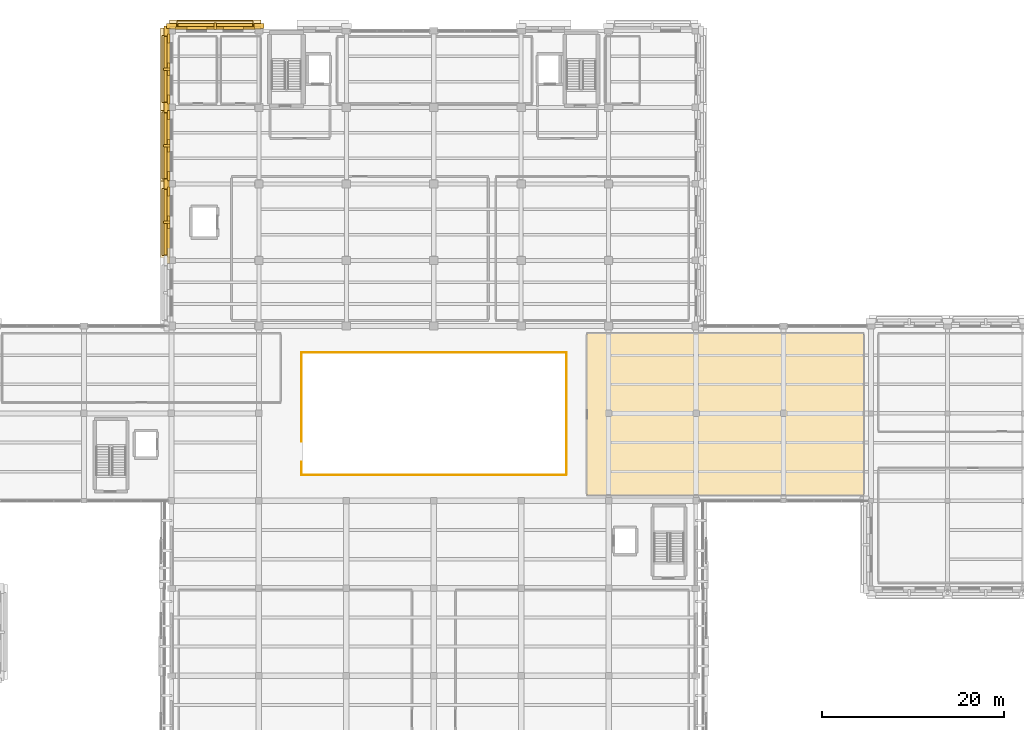
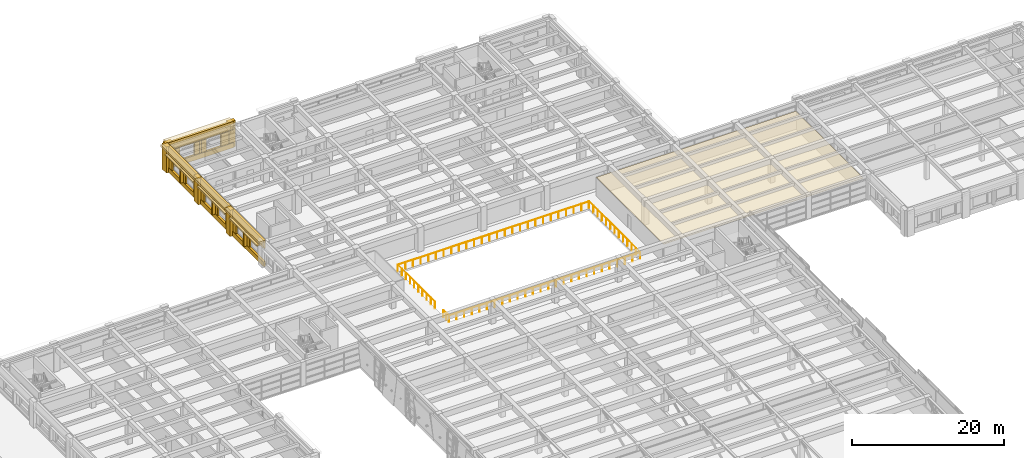
# One storey, part 57 of 62: 37 coverings, 5 railings, 4 shading devices.
"""IFC4 building model written with IfcOpenShell, lengths in metres."""

from ifc_helpers import new_model, si_unit, direction, frame, origin, origin_2d, place, context, subcontext, project, spatial, polyline, rectangle, circle, outline, extrude, material, layer, layer_set, type_object, element, save


model = new_model("IFC4")

# Units and contexts
model_context = context("Model", 3, precision=1e-05, world=origin(), true_north=direction((0.0, 1.0)))
body_context = subcontext(model_context, "Body", "Model", "MODEL_VIEW")
ifc_project = project(units=[si_unit("LENGTHUNIT", "METRE"), si_unit("AREAUNIT", "SQUARE_METRE"), si_unit("VOLUMEUNIT", "CUBIC_METRE"), si_unit("PLANEANGLEUNIT", "RADIAN"), si_unit("MASSUNIT", "GRAM", prefix="KILO")], contexts=[model_context])

# Site, building, storey
site_placement = place(None, origin())
site = spatial("IfcSite", under=ifc_project, at=site_placement, CompositionType="ELEMENT")
building_placement = place(site_placement, origin())
building = spatial("IfcBuilding", under=site, at=building_placement, Name="Bempovik Park Faculty of Sciences", CompositionType="ELEMENT")
storey_placement = place(building_placement, frame((0.0, 0.0, 9.89990234375)))
storey = spatial("IfcBuildingStorey", under=building, at=storey_placement, Name="L02", CompositionType="ELEMENT", Elevation=9.89990234375)

# Coverings
ifc_material_1 = material(Name="Acoustic mineral ceiling tile")
ifc_layer_1 = layer(ifc_material_1, 0.0400390625)
ifc_layer_set_1 = layer_set([ifc_layer_1], Name="Acoustic mineral ceiling tile")
covering_type_1 = type_object("IfcCoveringType", Name="CE-01 Acoustic Ceiling 40mm", PredefinedType="CEILING", material=ifc_layer_set_1)
covering_1_placement = place(storey_placement, frame((0.0, 0.0, 2.880126953125)))
element("IfcCovering", 1, at=covering_1_placement, inside=storey, type_object=covering_type_1, Name="L02 Atrium East Academic Staff Offices Acoustic Ceiling", PredefinedType="CEILING", context=body_context, shape_type="SweptSolid", body=[
    extrude(outline(polyline([(105.6298828125, 68.429931640625), (135.969970703125, 68.429931640625), (135.969970703125, 86.169921875), (105.6298828125, 86.169921875), (105.6298828125, 68.429931640625)])), origin(), (0.0, 0.0, 1.0), 0.0400390625),
])
ifc_material_2 = material(Name="Precast concrete C40/50", Category="concrete")
ifc_layer_2 = layer(ifc_material_2, 0.179931640625)
ifc_layer_set_2 = layer_set([ifc_layer_2], Name="Precast concrete C40/50")
covering_type_2 = type_object("IfcCoveringType", Name="CL-02 Classical Cornice Band 180mm", PredefinedType="CLADDING", material=ifc_layer_set_2)
covering_2_placement = place(storey_placement, frame((59.3349609375, 98.39990234375, 3.83984375), z_axis=(0.0, 0.0, 1.0), x_axis=(1.0, 0.0, 0.0)))
element("IfcCovering", 2, at=covering_2_placement, inside=storey, type_object=covering_type_2, Name="L02 Classical Projecting Dentil Cornice EW-L02-7553", PredefinedType="CLADDING", context=body_context, shape_type="SweptSolid", body=[
    extrude(rectangle(XDim=1.050048828125, YDim=9.0458984375, at=origin_2d()), origin(), (0.0, 0.0, 1.0), 0.360107421875),
])
covering_3_placement = place(storey_placement, frame((59.39990234375, 98.39990234375, 2.91015625), z_axis=(0.0, 0.0, 1.0), x_axis=(1.0, 0.0, 0.0)))
element("IfcCovering", 3, at=covering_3_placement, inside=storey, type_object=covering_type_2, Name="L02 Classical Stone Solar Window Hood EW-L02-7553", PredefinedType="CLADDING", context=body_context, shape_type="SweptSolid", body=[
    extrude(rectangle(XDim=0.919921875, YDim=7.345947265625, at=origin_2d()), origin(), (0.0, 0.0, 1.0), 0.219970703125),
])
covering_4_placement = place(storey_placement, frame((59.3349609375, 106.800048828125, 3.83984375), z_axis=(0.0, 0.0, 1.0), x_axis=(1.0, 0.0, 0.0)))
element("IfcCovering", 4, at=covering_4_placement, inside=storey, type_object=covering_type_2, Name="L02 Classical Projecting Dentil Cornice EW-L02-7566", PredefinedType="CLADDING", context=body_context, shape_type="SweptSolid", body=[
    extrude(rectangle(XDim=1.050048828125, YDim=9.0458984375, at=origin_2d()), origin(), (0.0, 0.0, 1.0), 0.360107421875),
])
covering_5_placement = place(storey_placement, frame((59.39990234375, 106.800048828125, 2.91015625), z_axis=(0.0, 0.0, 1.0), x_axis=(1.0, 0.0, 0.0)))
element("IfcCovering", 5, at=covering_5_placement, inside=storey, type_object=covering_type_2, Name="L02 Classical Stone Solar Window Hood EW-L02-7566", PredefinedType="CLADDING", context=body_context, shape_type="SweptSolid", body=[
    extrude(rectangle(XDim=0.919921875, YDim=7.345947265625, at=origin_2d()), origin(), (0.0, 0.0, 1.0), 0.219970703125),
])
covering_6_placement = place(storey_placement, frame((59.3349609375, 115.199951171875, 3.83984375), z_axis=(0.0, 0.0, 1.0), x_axis=(1.0, 0.0, 0.0)))
element("IfcCovering", 6, at=covering_6_placement, inside=storey, type_object=covering_type_2, Name="L02 Classical Projecting Dentil Cornice EW-L02-7579", PredefinedType="CLADDING", context=body_context, shape_type="SweptSolid", body=[
    extrude(rectangle(XDim=1.050048828125, YDim=9.0458984375, at=origin_2d()), origin(), (0.0, 0.0, 1.0), 0.360107421875),
])
covering_7_placement = place(storey_placement, frame((59.39990234375, 115.199951171875, 2.91015625), z_axis=(0.0, 0.0, 1.0), x_axis=(1.0, 0.0, 0.0)))
element("IfcCovering", 7, at=covering_7_placement, inside=storey, type_object=covering_type_2, Name="L02 Classical Stone Solar Window Hood EW-L02-7579", PredefinedType="CLADDING", context=body_context, shape_type="SweptSolid", body=[
    extrude(rectangle(XDim=0.919921875, YDim=7.345947265625, at=origin_2d()), origin(), (0.0, 0.0, 1.0), 0.219970703125),
])
covering_8_placement = place(storey_placement, frame((64.800048828125, 120.06494140625, 3.83984375), z_axis=(0.0, 0.0, 1.0), x_axis=(1.0, 0.0, 0.0)))
element("IfcCovering", 8, at=covering_8_placement, inside=storey, type_object=covering_type_2, Name="L02 Classical Projecting Dentil Cornice EW-L02-7592", PredefinedType="CLADDING", context=body_context, shape_type="SweptSolid", body=[
    extrude(rectangle(XDim=10.0458984375, YDim=1.050048828125, at=origin_2d()), origin(), (0.0, 0.0, 1.0), 0.360107421875),
])
covering_9_placement = place(storey_placement, frame((64.800048828125, 120.0, 2.91015625), z_axis=(0.0, 0.0, 1.0), x_axis=(1.0, 0.0, 0.0)))
element("IfcCovering", 9, at=covering_9_placement, inside=storey, type_object=covering_type_2, Name="L02 Classical Stone Solar Window Hood EW-L02-7592", PredefinedType="CLADDING", context=body_context, shape_type="SweptSolid", body=[
    extrude(rectangle(XDim=8.345947265625, YDim=0.919921875, at=origin_2d()), origin(), (0.0, 0.0, 1.0), 0.219970703125),
])
ifc_material_3 = material(Name="White reconstituted limestone precast C40/50", Category="masonry")
ifc_layer_3 = layer(ifc_material_3, 0.239990234375)
ifc_layer_set_3 = layer_set([ifc_layer_3], Name="White reconstituted limestone precast C40/50")
covering_type_3 = type_object("IfcCoveringType", Name="CL-03 Classical Fluted Limestone Pilaster 240mm", PredefinedType="CLADDING", material=ifc_layer_set_3)
covering_10_placement = place(storey_placement, frame((59.68994140625, 98.39990234375, 2.919921875), z_axis=(0.0, 0.0, 1.0), x_axis=(1.0, 0.0, 0.0)))
element("IfcCovering", 10, at=covering_10_placement, inside=storey, type_object=covering_type_3, Name="L02 Classical Limestone Spandrel Entablature EW-L02-7553", PredefinedType="CLADDING", context=body_context, shape_type="SweptSolid", body=[
    extrude(rectangle(XDim=0.340087890625, YDim=9.0458984375, at=origin_2d()), origin(), (0.0, 0.0, 1.0), 1.280029296875),
])
covering_11_placement = place(storey_placement, frame((59.68994140625, 98.39990234375, 0.0), z_axis=(0.0, 0.0, 1.0), x_axis=(1.0, 0.0, 0.0)))
element("IfcCovering", 11, at=covering_11_placement, inside=storey, type_object=covering_type_3, Name="L02 Classical Limestone Sill Dado EW-L02-7553", PredefinedType="CLADDING", context=body_context, shape_type="SweptSolid", body=[
    extrude(rectangle(XDim=0.340087890625, YDim=9.0458984375, at=origin_2d()), origin(), (0.0, 0.0, 1.0), 0.780029296875),
])
covering_12_placement = place(storey_placement, frame((59.469970703125, 102.60009765625, 0.0), z_axis=(0.0, 0.0, 1.0), x_axis=(1.0, 0.0, 0.0)))
element("IfcCovering", 12, at=covering_12_placement, inside=storey, type_object=covering_type_3, Name="L02 Classical Fluted Stone Pilaster PIL-BA-L02-595-1026", PredefinedType="CLADDING", context=body_context, shape_type="SweptSolid", body=[
    extrude(rectangle(XDim=0.580078125, YDim=1.10009765625, at=origin_2d()), origin(), (0.0, 0.0, 1.0), 4.199951171875),
])
covering_13_placement = place(storey_placement, frame((59.699951171875, 98.39990234375, 0.0), z_axis=(0.0, 0.0, 1.0), x_axis=(1.0, 0.0, 0.0)))
element("IfcCovering", 13, at=covering_13_placement, inside=storey, type_object=covering_type_3, Name="L02 White Limestone Wall Cheek EW-L02-7553-2", PredefinedType="CLADDING", context=body_context, shape_type="SweptSolid", body=[
    extrude(rectangle(XDim=0.239990234375, YDim=1.360107421875, at=origin_2d()), origin(), (0.0, 0.0, 1.0), 3.080078125),
])
covering_14_placement = place(storey_placement, frame((59.699951171875, 101.754150390625, 0.0), z_axis=(0.0, 0.0, 1.0), x_axis=(1.0, 0.0, 0.0)))
element("IfcCovering", 14, at=covering_14_placement, inside=storey, type_object=covering_type_3, Name="L02 White Limestone Wall Cheek EW-L02-7553-4", PredefinedType="CLADDING", context=body_context, shape_type="SweptSolid", body=[
    extrude(rectangle(XDim=0.239990234375, YDim=0.98779296875, at=origin_2d()), origin(), (0.0, 0.0, 1.0), 3.080078125),
])
covering_15_placement = place(storey_placement, frame((59.489990234375, 98.39990234375, 0.7001953125), z_axis=(0.0, 0.0, 1.0), x_axis=(1.0, 0.0, 0.0)))
element("IfcCovering", 15, at=covering_15_placement, inside=storey, type_object=covering_type_3, Name="L02 Classical Vertical Stone Shading Fin EW-L02-7553", PredefinedType="CLADDING", context=body_context, shape_type="SweptSolid", body=[
    extrude(rectangle(XDim=0.719970703125, YDim=0.280029296875, at=origin_2d()), origin(), (0.0, 0.0, 1.0), 2.25),
])
covering_16_placement = place(storey_placement, frame((59.68994140625, 106.800048828125, 2.919921875), z_axis=(0.0, 0.0, 1.0), x_axis=(1.0, 0.0, 0.0)))
element("IfcCovering", 16, at=covering_16_placement, inside=storey, type_object=covering_type_3, Name="L02 Classical Limestone Spandrel Entablature EW-L02-7566", PredefinedType="CLADDING", context=body_context, shape_type="SweptSolid", body=[
    extrude(rectangle(XDim=0.340087890625, YDim=9.0458984375, at=origin_2d()), origin(), (0.0, 0.0, 1.0), 1.280029296875),
])
covering_17_placement = place(storey_placement, frame((59.68994140625, 106.800048828125, 0.0), z_axis=(0.0, 0.0, 1.0), x_axis=(1.0, 0.0, 0.0)))
element("IfcCovering", 17, at=covering_17_placement, inside=storey, type_object=covering_type_3, Name="L02 Classical Limestone Sill Dado EW-L02-7566", PredefinedType="CLADDING", context=body_context, shape_type="SweptSolid", body=[
    extrude(rectangle(XDim=0.340087890625, YDim=9.0458984375, at=origin_2d()), origin(), (0.0, 0.0, 1.0), 0.780029296875),
])
covering_18_placement = place(storey_placement, frame((59.469970703125, 111.0, 0.0), z_axis=(0.0, 0.0, 1.0), x_axis=(1.0, 0.0, 0.0)))
element("IfcCovering", 18, at=covering_18_placement, inside=storey, type_object=covering_type_3, Name="L02 Classical Fluted Stone Pilaster PIL-BA-L02-595-1110", PredefinedType="CLADDING", context=body_context, shape_type="SweptSolid", body=[
    extrude(rectangle(XDim=0.580078125, YDim=1.10009765625, at=origin_2d()), origin(), (0.0, 0.0, 1.0), 4.199951171875),
])
covering_19_placement = place(storey_placement, frame((59.699951171875, 103.44580078125, 0.0), z_axis=(0.0, 0.0, 1.0), x_axis=(1.0, 0.0, 0.0)))
element("IfcCovering", 19, at=covering_19_placement, inside=storey, type_object=covering_type_3, Name="L02 White Limestone Wall Cheek EW-L02-7566-0", PredefinedType="CLADDING", context=body_context, shape_type="SweptSolid", body=[
    extrude(rectangle(XDim=0.239990234375, YDim=0.98779296875, at=origin_2d()), origin(), (0.0, 0.0, 1.0), 3.080078125),
])
covering_20_placement = place(storey_placement, frame((59.699951171875, 106.800048828125, 0.0), z_axis=(0.0, 0.0, 1.0), x_axis=(1.0, 0.0, 0.0)))
element("IfcCovering", 20, at=covering_20_placement, inside=storey, type_object=covering_type_3, Name="L02 White Limestone Wall Cheek EW-L02-7566-2", PredefinedType="CLADDING", context=body_context, shape_type="SweptSolid", body=[
    extrude(rectangle(XDim=0.239990234375, YDim=1.360107421875, at=origin_2d()), origin(), (0.0, 0.0, 1.0), 3.080078125),
])
covering_21_placement = place(storey_placement, frame((59.699951171875, 110.154052734375, 0.0), z_axis=(0.0, 0.0, 1.0), x_axis=(1.0, 0.0, 0.0)))
element("IfcCovering", 21, at=covering_21_placement, inside=storey, type_object=covering_type_3, Name="L02 White Limestone Wall Cheek EW-L02-7566-4", PredefinedType="CLADDING", context=body_context, shape_type="SweptSolid", body=[
    extrude(rectangle(XDim=0.239990234375, YDim=0.98779296875, at=origin_2d()), origin(), (0.0, 0.0, 1.0), 3.080078125),
])
covering_22_placement = place(storey_placement, frame((59.489990234375, 106.800048828125, 0.7001953125), z_axis=(0.0, 0.0, 1.0), x_axis=(1.0, 0.0, 0.0)))
element("IfcCovering", 22, at=covering_22_placement, inside=storey, type_object=covering_type_3, Name="L02 Classical Vertical Stone Shading Fin EW-L02-7566", PredefinedType="CLADDING", context=body_context, shape_type="SweptSolid", body=[
    extrude(rectangle(XDim=0.719970703125, YDim=0.280029296875, at=origin_2d()), origin(), (0.0, 0.0, 1.0), 2.25),
])
covering_23_placement = place(storey_placement, frame((59.68994140625, 115.199951171875, 2.919921875), z_axis=(0.0, 0.0, 1.0), x_axis=(1.0, 0.0, 0.0)))
element("IfcCovering", 23, at=covering_23_placement, inside=storey, type_object=covering_type_3, Name="L02 Classical Limestone Spandrel Entablature EW-L02-7579", PredefinedType="CLADDING", context=body_context, shape_type="SweptSolid", body=[
    extrude(rectangle(XDim=0.340087890625, YDim=9.0458984375, at=origin_2d()), origin(), (0.0, 0.0, 1.0), 1.280029296875),
])
covering_24_placement = place(storey_placement, frame((59.68994140625, 115.199951171875, 0.0), z_axis=(0.0, 0.0, 1.0), x_axis=(1.0, 0.0, 0.0)))
element("IfcCovering", 24, at=covering_24_placement, inside=storey, type_object=covering_type_3, Name="L02 Classical Limestone Sill Dado EW-L02-7579", PredefinedType="CLADDING", context=body_context, shape_type="SweptSolid", body=[
    extrude(rectangle(XDim=0.340087890625, YDim=9.0458984375, at=origin_2d()), origin(), (0.0, 0.0, 1.0), 0.780029296875),
])
covering_25_placement = place(storey_placement, frame((59.469970703125, 119.39990234375, 0.0), z_axis=(0.0, 0.0, 1.0), x_axis=(1.0, 0.0, 0.0)))
element("IfcCovering", 25, at=covering_25_placement, inside=storey, type_object=covering_type_3, Name="L02 Classical Fluted Stone Pilaster PIL-BA-L02-595-1194", PredefinedType="CLADDING", context=body_context, shape_type="SweptSolid", body=[
    extrude(rectangle(XDim=0.580078125, YDim=1.10009765625, at=origin_2d()), origin(), (0.0, 0.0, 1.0), 4.199951171875),
])
covering_26_placement = place(storey_placement, frame((59.699951171875, 111.845947265625, 0.0), z_axis=(0.0, 0.0, 1.0), x_axis=(1.0, 0.0, 0.0)))
element("IfcCovering", 26, at=covering_26_placement, inside=storey, type_object=covering_type_3, Name="L02 White Limestone Wall Cheek EW-L02-7579-0", PredefinedType="CLADDING", context=body_context, shape_type="SweptSolid", body=[
    extrude(rectangle(XDim=0.239990234375, YDim=0.98779296875, at=origin_2d()), origin(), (0.0, 0.0, 1.0), 3.080078125),
])
covering_27_placement = place(storey_placement, frame((59.699951171875, 115.199951171875, 0.0), z_axis=(0.0, 0.0, 1.0), x_axis=(1.0, 0.0, 0.0)))
element("IfcCovering", 27, at=covering_27_placement, inside=storey, type_object=covering_type_3, Name="L02 White Limestone Wall Cheek EW-L02-7579-2", PredefinedType="CLADDING", context=body_context, shape_type="SweptSolid", body=[
    extrude(rectangle(XDim=0.239990234375, YDim=1.360107421875, at=origin_2d()), origin(), (0.0, 0.0, 1.0), 3.080078125),
])
covering_28_placement = place(storey_placement, frame((59.699951171875, 118.55419921875, 0.0), z_axis=(0.0, 0.0, 1.0), x_axis=(1.0, 0.0, 0.0)))
element("IfcCovering", 28, at=covering_28_placement, inside=storey, type_object=covering_type_3, Name="L02 White Limestone Wall Cheek EW-L02-7579-4", PredefinedType="CLADDING", context=body_context, shape_type="SweptSolid", body=[
    extrude(rectangle(XDim=0.239990234375, YDim=0.98779296875, at=origin_2d()), origin(), (0.0, 0.0, 1.0), 3.080078125),
])
covering_29_placement = place(storey_placement, frame((59.489990234375, 115.199951171875, 0.7001953125), z_axis=(0.0, 0.0, 1.0), x_axis=(1.0, 0.0, 0.0)))
element("IfcCovering", 29, at=covering_29_placement, inside=storey, type_object=covering_type_3, Name="L02 Classical Vertical Stone Shading Fin EW-L02-7579", PredefinedType="CLADDING", context=body_context, shape_type="SweptSolid", body=[
    extrude(rectangle(XDim=0.719970703125, YDim=0.280029296875, at=origin_2d()), origin(), (0.0, 0.0, 1.0), 2.25),
])
covering_30_placement = place(storey_placement, frame((64.800048828125, 119.7099609375, 2.919921875), z_axis=(0.0, 0.0, 1.0), x_axis=(1.0, 0.0, 0.0)))
element("IfcCovering", 30, at=covering_30_placement, inside=storey, type_object=covering_type_3, Name="L02 Classical Limestone Spandrel Entablature EW-L02-7592", PredefinedType="CLADDING", context=body_context, shape_type="SweptSolid", body=[
    extrude(rectangle(XDim=10.0458984375, YDim=0.340087890625, at=origin_2d()), origin(), (0.0, 0.0, 1.0), 1.280029296875),
])
covering_31_placement = place(storey_placement, frame((64.800048828125, 119.7099609375, 0.0), z_axis=(0.0, 0.0, 1.0), x_axis=(1.0, 0.0, 0.0)))
element("IfcCovering", 31, at=covering_31_placement, inside=storey, type_object=covering_type_3, Name="L02 Classical Limestone Sill Dado EW-L02-7592", PredefinedType="CLADDING", context=body_context, shape_type="SweptSolid", body=[
    extrude(rectangle(XDim=10.0458984375, YDim=0.340087890625, at=origin_2d()), origin(), (0.0, 0.0, 1.0), 0.780029296875),
])
for number, where, z_axis, x_axis, name in (
    (32, (60.0, 119.929931640625, 0.0), (0.0, 0.0, 1.0), (1.0, 0.0, 0.0), "L02 Classical Fluted Stone Pilaster PIL-BA-L02-600-1199"),
    (33, (69.60009765625, 119.929931640625, 0.0), (0.0, 0.0, 1.0), (1.0, 0.0, 0.0), "L02 Classical Fluted Stone Pilaster PIL-BA-L02-696-1199"),
):
    element("IfcCovering", number, at=place(storey_placement, frame(where, z_axis=z_axis, x_axis=x_axis)), inside=storey, type_object=covering_type_3, Name=name, PredefinedType="CLADDING", context=body_context, shape_type="SweptSolid", body=[
        extrude(rectangle(XDim=1.10009765625, YDim=0.580078125, at=origin_2d()), origin(), (0.0, 0.0, 1.0), 4.199951171875),
    ])
covering_32_placement = place(storey_placement, frame((61.0810546875, 119.699951171875, 0.0), z_axis=(0.0, 0.0, 1.0), x_axis=(1.0, 0.0, 0.0)))
element("IfcCovering", 34, at=covering_32_placement, inside=storey, type_object=covering_type_3, Name="L02 White Limestone Wall Cheek EW-L02-7592-0", PredefinedType="CLADDING", context=body_context, shape_type="SweptSolid", body=[
    extrude(rectangle(XDim=1.2578125, YDim=0.239990234375, at=origin_2d()), origin(), (0.0, 0.0, 1.0), 3.080078125),
])
covering_33_placement = place(storey_placement, frame((64.800048828125, 119.699951171875, 0.0), z_axis=(0.0, 0.0, 1.0), x_axis=(1.0, 0.0, 0.0)))
element("IfcCovering", 35, at=covering_33_placement, inside=storey, type_object=covering_type_3, Name="L02 White Limestone Wall Cheek EW-L02-7592-2", PredefinedType="CLADDING", context=body_context, shape_type="SweptSolid", body=[
    extrude(rectangle(XDim=1.8203125, YDim=0.239990234375, at=origin_2d()), origin(), (0.0, 0.0, 1.0), 3.080078125),
])
covering_34_placement = place(storey_placement, frame((68.51904296875, 119.699951171875, 0.0), z_axis=(0.0, 0.0, 1.0), x_axis=(1.0, 0.0, 0.0)))
element("IfcCovering", 36, at=covering_34_placement, inside=storey, type_object=covering_type_3, Name="L02 White Limestone Wall Cheek EW-L02-7592-4", PredefinedType="CLADDING", context=body_context, shape_type="SweptSolid", body=[
    extrude(rectangle(XDim=1.2578125, YDim=0.239990234375, at=origin_2d()), origin(), (0.0, 0.0, 1.0), 3.080078125),
])
covering_35_placement = place(storey_placement, frame((64.800048828125, 119.909912109375, 0.7001953125), z_axis=(0.0, 0.0, 1.0), x_axis=(1.0, 0.0, 0.0)))
element("IfcCovering", 37, at=covering_35_placement, inside=storey, type_object=covering_type_3, Name="L02 Classical Vertical Stone Shading Fin EW-L02-7592", PredefinedType="CLADDING", context=body_context, shape_type="SweptSolid", body=[
    extrude(rectangle(XDim=0.280029296875, YDim=0.719970703125, at=origin_2d()), origin(), (0.0, 0.0, 1.0), 2.25),
])

# Railings
ifc_material_4 = material(Name="Anodised architectural bronze")
railing_type = type_object("IfcRailingType", Name="GR-01 Guardrail 1120mm", PredefinedType="GUARDRAIL", material=ifc_material_4)
railing_1_placement = place(storey_placement, frame((74.27490234375, 70.64990234375, 0.0)))
element("IfcRailing", 38, at=railing_1_placement, inside=storey, type_object=railing_type, Name="L02 Atrium Void South Guardrail", PredefinedType="GUARDRAIL", context=body_context, shape_type="SweptSolid", body=[
    extrude(circle(Radius=0.02392578125, at=origin_2d()), frame((0.0, 0.0, 1.09619140625), z_axis=(1.0, 0.0, 0.0), x_axis=(0.0, 1.0, 0.0)), (0.0, 0.0, 1.0), 29.0751953125),
    extrude(circle(Radius=0.02099609375, at=origin_2d()), origin(), (0.0, 0.0, 1.0), 1.072021484375),
    extrude(circle(Radius=0.02099609375, at=origin_2d()), frame((1.1630859375, 0.0, 0.0)), (0.0, 0.0, 1.0), 1.072021484375),
    extrude(circle(Radius=0.02099609375, at=origin_2d()), frame((2.325927734375, 0.0, 0.0)), (0.0, 0.0, 1.0), 1.072021484375),
    extrude(circle(Radius=0.02099609375, at=origin_2d()), frame((3.489013671875, 0.0, 0.0)), (0.0, 0.0, 1.0), 1.072021484375),
    extrude(circle(Radius=0.02099609375, at=origin_2d()), frame((4.652099609375, 0.0, 0.0)), (0.0, 0.0, 1.0), 1.072021484375),
    extrude(circle(Radius=0.02099609375, at=origin_2d()), frame((5.81494140625, 0.0, 0.0)), (0.0, 0.0, 1.0), 1.072021484375),
    extrude(circle(Radius=0.02099609375, at=origin_2d()), frame((6.97802734375, 0.0, 0.0)), (0.0, 0.0, 1.0), 1.072021484375),
    extrude(circle(Radius=0.02099609375, at=origin_2d()), frame((8.14111328125, 0.0, 0.0)), (0.0, 0.0, 1.0), 1.072021484375),
    extrude(circle(Radius=0.02099609375, at=origin_2d()), frame((9.303955078125, 0.0, 0.0)), (0.0, 0.0, 1.0), 1.072021484375),
    extrude(circle(Radius=0.02099609375, at=origin_2d()), frame((10.467041015625, 0.0, 0.0)), (0.0, 0.0, 1.0), 1.072021484375),
    extrude(circle(Radius=0.02099609375, at=origin_2d()), frame((11.630126953125, 0.0, 0.0)), (0.0, 0.0, 1.0), 1.072021484375),
    extrude(circle(Radius=0.02099609375, at=origin_2d()), frame((12.79296875, 0.0, 0.0)), (0.0, 0.0, 1.0), 1.072021484375),
    extrude(circle(Radius=0.02099609375, at=origin_2d()), frame((13.9560546875, 0.0, 0.0)), (0.0, 0.0, 1.0), 1.072021484375),
    extrude(circle(Radius=0.02099609375, at=origin_2d()), frame((15.119140625, 0.0, 0.0)), (0.0, 0.0, 1.0), 1.072021484375),
    extrude(circle(Radius=0.02099609375, at=origin_2d()), frame((16.2822265625, 0.0, 0.0)), (0.0, 0.0, 1.0), 1.072021484375),
    extrude(circle(Radius=0.02099609375, at=origin_2d()), frame((17.445068359375, 0.0, 0.0)), (0.0, 0.0, 1.0), 1.072021484375),
    extrude(circle(Radius=0.02099609375, at=origin_2d()), frame((18.608154296875, 0.0, 0.0)), (0.0, 0.0, 1.0), 1.072021484375),
    extrude(circle(Radius=0.02099609375, at=origin_2d()), frame((19.771240234375, 0.0, 0.0)), (0.0, 0.0, 1.0), 1.072021484375),
    extrude(circle(Radius=0.02099609375, at=origin_2d()), frame((20.93408203125, 0.0, 0.0)), (0.0, 0.0, 1.0), 1.072021484375),
    extrude(circle(Radius=0.02099609375, at=origin_2d()), frame((22.09716796875, 0.0, 0.0)), (0.0, 0.0, 1.0), 1.072021484375),
    extrude(circle(Radius=0.02099609375, at=origin_2d()), frame((23.26025390625, 0.0, 0.0)), (0.0, 0.0, 1.0), 1.072021484375),
    extrude(circle(Radius=0.02099609375, at=origin_2d()), frame((24.423095703125, 0.0, 0.0)), (0.0, 0.0, 1.0), 1.072021484375),
    extrude(circle(Radius=0.02099609375, at=origin_2d()), frame((25.586181640625, 0.0, 0.0)), (0.0, 0.0, 1.0), 1.072021484375),
    extrude(circle(Radius=0.02099609375, at=origin_2d()), frame((26.749267578125, 0.0, 0.0)), (0.0, 0.0, 1.0), 1.072021484375),
    extrude(circle(Radius=0.02099609375, at=origin_2d()), frame((27.912109375, 0.0, 0.0)), (0.0, 0.0, 1.0), 1.072021484375),
    extrude(circle(Radius=0.02099609375, at=origin_2d()), frame((29.0751953125, 0.0, 0.0)), (0.0, 0.0, 1.0), 1.072021484375),
])
railing_2_placement = place(storey_placement, frame((74.27490234375, 84.10009765625, 0.0)))
element("IfcRailing", 39, at=railing_2_placement, inside=storey, type_object=railing_type, Name="L02 Atrium Void North Guardrail", PredefinedType="GUARDRAIL", context=body_context, shape_type="SweptSolid", body=[
    extrude(circle(Radius=0.02392578125, at=origin_2d()), frame((0.0, 0.0, 1.09619140625), z_axis=(1.0, 0.0, 0.0), x_axis=(0.0, 1.0, 0.0)), (0.0, 0.0, 1.0), 29.0751953125),
    extrude(circle(Radius=0.02099609375, at=origin_2d()), origin(), (0.0, 0.0, 1.0), 1.072021484375),
    extrude(circle(Radius=0.02099609375, at=origin_2d()), frame((1.1630859375, 0.0, 0.0)), (0.0, 0.0, 1.0), 1.072021484375),
    extrude(circle(Radius=0.02099609375, at=origin_2d()), frame((2.325927734375, 0.0, 0.0)), (0.0, 0.0, 1.0), 1.072021484375),
    extrude(circle(Radius=0.02099609375, at=origin_2d()), frame((3.489013671875, 0.0, 0.0)), (0.0, 0.0, 1.0), 1.072021484375),
    extrude(circle(Radius=0.02099609375, at=origin_2d()), frame((4.652099609375, 0.0, 0.0)), (0.0, 0.0, 1.0), 1.072021484375),
    extrude(circle(Radius=0.02099609375, at=origin_2d()), frame((5.81494140625, 0.0, 0.0)), (0.0, 0.0, 1.0), 1.072021484375),
    extrude(circle(Radius=0.02099609375, at=origin_2d()), frame((6.97802734375, 0.0, 0.0)), (0.0, 0.0, 1.0), 1.072021484375),
    extrude(circle(Radius=0.02099609375, at=origin_2d()), frame((8.14111328125, 0.0, 0.0)), (0.0, 0.0, 1.0), 1.072021484375),
    extrude(circle(Radius=0.02099609375, at=origin_2d()), frame((9.303955078125, 0.0, 0.0)), (0.0, 0.0, 1.0), 1.072021484375),
    extrude(circle(Radius=0.02099609375, at=origin_2d()), frame((10.467041015625, 0.0, 0.0)), (0.0, 0.0, 1.0), 1.072021484375),
    extrude(circle(Radius=0.02099609375, at=origin_2d()), frame((11.630126953125, 0.0, 0.0)), (0.0, 0.0, 1.0), 1.072021484375),
    extrude(circle(Radius=0.02099609375, at=origin_2d()), frame((12.79296875, 0.0, 0.0)), (0.0, 0.0, 1.0), 1.072021484375),
    extrude(circle(Radius=0.02099609375, at=origin_2d()), frame((13.9560546875, 0.0, 0.0)), (0.0, 0.0, 1.0), 1.072021484375),
    extrude(circle(Radius=0.02099609375, at=origin_2d()), frame((15.119140625, 0.0, 0.0)), (0.0, 0.0, 1.0), 1.072021484375),
    extrude(circle(Radius=0.02099609375, at=origin_2d()), frame((16.2822265625, 0.0, 0.0)), (0.0, 0.0, 1.0), 1.072021484375),
    extrude(circle(Radius=0.02099609375, at=origin_2d()), frame((17.445068359375, 0.0, 0.0)), (0.0, 0.0, 1.0), 1.072021484375),
    extrude(circle(Radius=0.02099609375, at=origin_2d()), frame((18.608154296875, 0.0, 0.0)), (0.0, 0.0, 1.0), 1.072021484375),
    extrude(circle(Radius=0.02099609375, at=origin_2d()), frame((19.771240234375, 0.0, 0.0)), (0.0, 0.0, 1.0), 1.072021484375),
    extrude(circle(Radius=0.02099609375, at=origin_2d()), frame((20.93408203125, 0.0, 0.0)), (0.0, 0.0, 1.0), 1.072021484375),
    extrude(circle(Radius=0.02099609375, at=origin_2d()), frame((22.09716796875, 0.0, 0.0)), (0.0, 0.0, 1.0), 1.072021484375),
    extrude(circle(Radius=0.02099609375, at=origin_2d()), frame((23.26025390625, 0.0, 0.0)), (0.0, 0.0, 1.0), 1.072021484375),
    extrude(circle(Radius=0.02099609375, at=origin_2d()), frame((24.423095703125, 0.0, 0.0)), (0.0, 0.0, 1.0), 1.072021484375),
    extrude(circle(Radius=0.02099609375, at=origin_2d()), frame((25.586181640625, 0.0, 0.0)), (0.0, 0.0, 1.0), 1.072021484375),
    extrude(circle(Radius=0.02099609375, at=origin_2d()), frame((26.749267578125, 0.0, 0.0)), (0.0, 0.0, 1.0), 1.072021484375),
    extrude(circle(Radius=0.02099609375, at=origin_2d()), frame((27.912109375, 0.0, 0.0)), (0.0, 0.0, 1.0), 1.072021484375),
    extrude(circle(Radius=0.02099609375, at=origin_2d()), frame((29.0751953125, 0.0, 0.0)), (0.0, 0.0, 1.0), 1.072021484375),
])
railing_3_placement = place(storey_placement, frame((103.35009765625, 70.64990234375, 0.0)))
element("IfcRailing", 40, at=railing_3_placement, inside=storey, type_object=railing_type, Name="L02 Atrium Void East Guardrail", PredefinedType="GUARDRAIL", context=body_context, shape_type="SweptSolid", body=[
    extrude(circle(Radius=0.02392578125, at=origin_2d()), frame((0.0, 0.0, 1.09619140625), z_axis=(0.0, 1.0, 0.0), x_axis=(-1.0, 0.0, 0.0)), (0.0, 0.0, 1.0), 13.4501953125),
    extrude(circle(Radius=0.02099609375, at=origin_2d()), origin(), (0.0, 0.0, 1.0), 1.072021484375),
    extrude(circle(Radius=0.02099609375, at=origin_2d()), frame((0.0, 1.120849609375, 0.0)), (0.0, 0.0, 1.0), 1.072021484375),
    extrude(circle(Radius=0.02099609375, at=origin_2d()), frame((0.0, 2.24169921875, 0.0)), (0.0, 0.0, 1.0), 1.072021484375),
    extrude(circle(Radius=0.02099609375, at=origin_2d()), frame((0.0, 3.362548828125, 0.0)), (0.0, 0.0, 1.0), 1.072021484375),
    extrude(circle(Radius=0.02099609375, at=origin_2d()), frame((0.0, 4.4833984375, 0.0)), (0.0, 0.0, 1.0), 1.072021484375),
    extrude(circle(Radius=0.02099609375, at=origin_2d()), frame((0.0, 5.604248046875, 0.0)), (0.0, 0.0, 1.0), 1.072021484375),
    extrude(circle(Radius=0.02099609375, at=origin_2d()), frame((0.0, 6.72509765625, 0.0)), (0.0, 0.0, 1.0), 1.072021484375),
    extrude(circle(Radius=0.02099609375, at=origin_2d()), frame((0.0, 7.845947265625, 0.0)), (0.0, 0.0, 1.0), 1.072021484375),
    extrude(circle(Radius=0.02099609375, at=origin_2d()), frame((0.0, 8.966796875, 0.0)), (0.0, 0.0, 1.0), 1.072021484375),
    extrude(circle(Radius=0.02099609375, at=origin_2d()), frame((0.0, 10.087646484375, 0.0)), (0.0, 0.0, 1.0), 1.072021484375),
    extrude(circle(Radius=0.02099609375, at=origin_2d()), frame((0.0, 11.20849609375, 0.0)), (0.0, 0.0, 1.0), 1.072021484375),
    extrude(circle(Radius=0.02099609375, at=origin_2d()), frame((0.0, 12.329345703125, 0.0)), (0.0, 0.0, 1.0), 1.072021484375),
    extrude(circle(Radius=0.02099609375, at=origin_2d()), frame((0.0, 13.4501953125, 0.0)), (0.0, 0.0, 1.0), 1.072021484375),
])
railing_4_placement = place(storey_placement, frame((74.27490234375, 70.64990234375, 0.0)))
element("IfcRailing", 41, at=railing_4_placement, inside=storey, type_object=railing_type, Name="L02 Atrium Void West Guardrail South", PredefinedType="GUARDRAIL", context=body_context, shape_type="SweptSolid", body=[
    extrude(circle(Radius=0.02392578125, at=origin_2d()), frame((0.0, 0.0, 1.09619140625), z_axis=(0.0, 1.0, 0.0), x_axis=(-1.0, 0.0, 0.0)), (0.0, 0.0, 1.0), 1.400146484375),
    extrude(circle(Radius=0.02099609375, at=origin_2d()), origin(), (0.0, 0.0, 1.0), 1.072021484375),
    extrude(circle(Radius=0.02099609375, at=origin_2d()), frame((0.0, 0.7001953125, 0.0)), (0.0, 0.0, 1.0), 1.072021484375),
    extrude(circle(Radius=0.02099609375, at=origin_2d()), frame((0.0, 1.400146484375, 0.0)), (0.0, 0.0, 1.0), 1.072021484375),
])
railing_5_placement = place(storey_placement, frame((74.27490234375, 74.300048828125, 0.0)))
element("IfcRailing", 42, at=railing_5_placement, inside=storey, type_object=railing_type, Name="L02 Atrium Void West Guardrail North", PredefinedType="GUARDRAIL", context=body_context, shape_type="SweptSolid", body=[
    extrude(circle(Radius=0.02392578125, at=origin_2d()), frame((0.0, 0.0, 1.09619140625), z_axis=(0.0, 1.0, 0.0), x_axis=(-1.0, 0.0, 0.0)), (0.0, 0.0, 1.0), 9.800048828125),
    extrude(circle(Radius=0.02099609375, at=origin_2d()), origin(), (0.0, 0.0, 1.0), 1.072021484375),
    extrude(circle(Radius=0.02099609375, at=origin_2d()), frame((0.0, 1.0888671875, 0.0)), (0.0, 0.0, 1.0), 1.072021484375),
    extrude(circle(Radius=0.02099609375, at=origin_2d()), frame((0.0, 2.177734375, 0.0)), (0.0, 0.0, 1.0), 1.072021484375),
    extrude(circle(Radius=0.02099609375, at=origin_2d()), frame((0.0, 3.2666015625, 0.0)), (0.0, 0.0, 1.0), 1.072021484375),
    extrude(circle(Radius=0.02099609375, at=origin_2d()), frame((0.0, 4.35546875, 0.0)), (0.0, 0.0, 1.0), 1.072021484375),
    extrude(circle(Radius=0.02099609375, at=origin_2d()), frame((0.0, 5.444580078125, 0.0)), (0.0, 0.0, 1.0), 1.072021484375),
    extrude(circle(Radius=0.02099609375, at=origin_2d()), frame((0.0, 6.533447265625, 0.0)), (0.0, 0.0, 1.0), 1.072021484375),
    extrude(circle(Radius=0.02099609375, at=origin_2d()), frame((0.0, 7.622314453125, 0.0)), (0.0, 0.0, 1.0), 1.072021484375),
    extrude(circle(Radius=0.02099609375, at=origin_2d()), frame((0.0, 8.711181640625, 0.0)), (0.0, 0.0, 1.0), 1.072021484375),
    extrude(circle(Radius=0.02099609375, at=origin_2d()), frame((0.0, 9.800048828125, 0.0)), (0.0, 0.0, 1.0), 1.072021484375),
])

# Shading devices
ifc_layer_4 = layer(ifc_material_4, 0.06005859375)
ifc_layer_set_4 = layer_set([ifc_layer_4], Name="Anodised architectural bronze")
shading_device_type = type_object("IfcShadingDeviceType", Name="SH-01 Bronze Brise-Soleil Fin", PredefinedType="USERDEFINED", material=ifc_layer_set_4)
for number, where, z_axis, x_axis, name in (
    (43, (59.52001953125, 98.39990234375, 2.85009765625), (0.0, 0.0, 1.0), (1.0, 0.0, 0.0), "L02 Equatorial Bronze Brise-Soleil EW-L02-7553"),
    (44, (59.52001953125, 106.800048828125, 2.85009765625), (0.0, 0.0, 1.0), (1.0, 0.0, 0.0), "L02 Equatorial Bronze Brise-Soleil EW-L02-7566"),
    (45, (59.52001953125, 115.199951171875, 2.85009765625), (0.0, 0.0, 1.0), (1.0, 0.0, 0.0), "L02 Equatorial Bronze Brise-Soleil EW-L02-7579"),
):
    element("IfcShadingDevice", number, at=place(storey_placement, frame(where, z_axis=z_axis, x_axis=x_axis)), inside=storey, type_object=shading_device_type, Name=name, ObjectType="BRISE SOLEIL", PredefinedType="USERDEFINED", context=body_context, shape_type="SweptSolid", body=[
        extrude(rectangle(XDim=0.64990234375, YDim=7.196044921875, at=origin_2d()), origin(), (0.0, 0.0, 1.0), 0.06005859375),
    ])
shading_device_placement = place(storey_placement, frame((64.800048828125, 119.8798828125, 2.85009765625), z_axis=(0.0, 0.0, 1.0), x_axis=(1.0, 0.0, 0.0)))
element("IfcShadingDevice", 46, at=shading_device_placement, inside=storey, type_object=shading_device_type, Name="L02 Equatorial Bronze Brise-Soleil EW-L02-7592", ObjectType="BRISE SOLEIL", PredefinedType="USERDEFINED", context=body_context, shape_type="SweptSolid", body=[
    extrude(rectangle(XDim=8.196044921875, YDim=0.64990234375, at=origin_2d()), origin(), (0.0, 0.0, 1.0), 0.06005859375),
])

save(model, "model.ifc")
